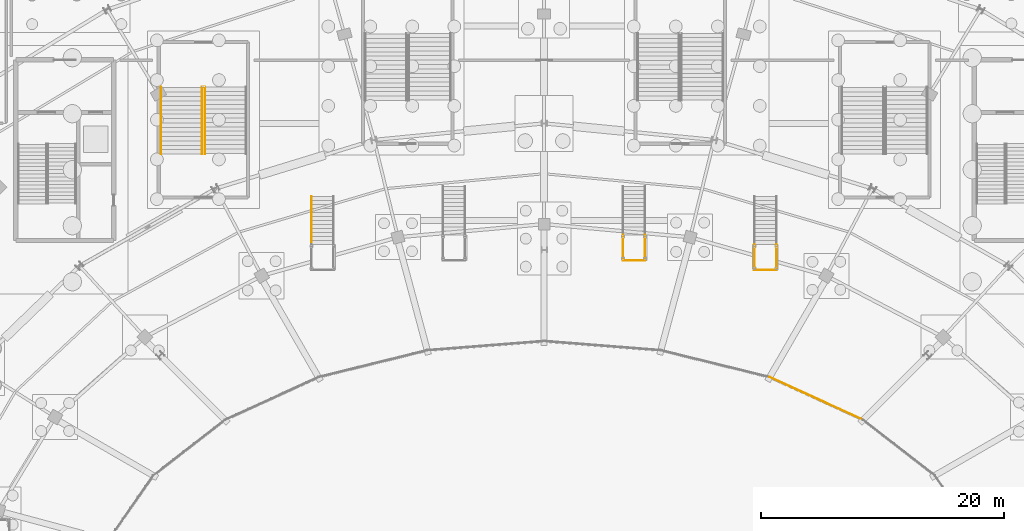
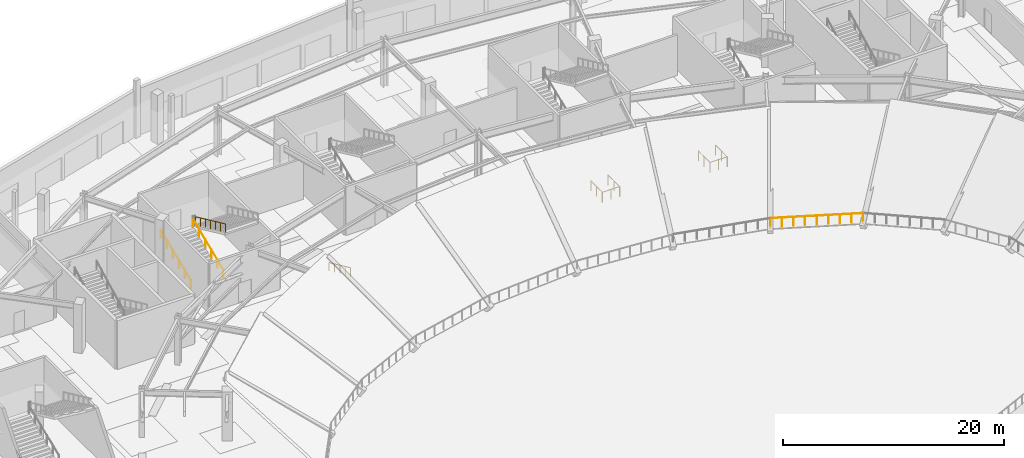
# One storey, part 81 of 93: 11 railings.
"""IFC4 building model written with IfcOpenShell, lengths in metres."""

from ifc_helpers import new_model, si_unit, direction, frame, origin, origin_2d, place, context, subcontext, project, spatial, circle, extrude, material, type_object, element, save


model = new_model("IFC4")

# Units and contexts
model_context = context("Model", 3, precision=1e-05, world=origin(), true_north=direction((0.0, 1.0)))
body_context = subcontext(model_context, "Body", "Model", "MODEL_VIEW")
ifc_project = project(units=[si_unit("LENGTHUNIT", "METRE"), si_unit("AREAUNIT", "SQUARE_METRE"), si_unit("VOLUMEUNIT", "CUBIC_METRE"), si_unit("PLANEANGLEUNIT", "RADIAN"), si_unit("MASSUNIT", "GRAM", prefix="KILO")], contexts=[model_context])

# Site, building, storey
site_placement = place(None, origin())
site = spatial("IfcSite", under=ifc_project, at=site_placement, CompositionType="ELEMENT")
building_placement = place(site_placement, origin())
building = spatial("IfcBuilding", under=site, at=building_placement, Name="Kalgoora Escarpment Arena", CompositionType="ELEMENT")
storey_placement = place(building_placement, origin())
storey = spatial("IfcBuildingStorey", under=building, at=storey_placement, Name="L00", CompositionType="ELEMENT", Elevation=0.0)

# Railings
ifc_material_1 = material(Name="Galvanised & powdercoated tubular steel", Category="steel")
railing_type_1 = type_object("IfcRailingType", Name="RAL-GUARD-1120", PredefinedType="GUARDRAIL", material=ifc_material_1)
for number, where, name in (
    (1, (98.89990234375, 94.840087890625, 1.949951171875), "Vomitory VST03 landing guard L"),
    (2, (100.699951171875, 94.840087890625, 1.949951171875), "Vomitory VST03 landing guard R"),
):
    element("IfcRailing", number, at=place(storey_placement, frame(where)), inside=storey, type_object=railing_type_1, Name=name, PredefinedType="GUARDRAIL", context=body_context, shape_type="SweptSolid", body=[
        extrude(circle(Radius=0.02392578125, at=origin_2d()), frame((0.0, 0.0, 1.09619140625), z_axis=(0.0, -1.0, 0.0), x_axis=(1.0, 0.0, 0.0)), (0.0, 0.0, 1.0), 2.10009765625),
        extrude(circle(Radius=0.02099609375, at=origin_2d()), origin(), (0.0, 0.0, 1.0), 1.072021484375),
        extrude(circle(Radius=0.02099609375, at=origin_2d()), frame((0.0, -1.050048828125, 0.0)), (0.0, 0.0, 1.0), 1.072021484375),
        extrude(circle(Radius=0.02099609375, at=origin_2d()), frame((0.0, -2.10009765625, 0.0)), (0.0, 0.0, 1.0), 1.072021484375),
    ])
railing_1_placement = place(storey_placement, frame((98.8798828125, 92.739990234375, 1.949951171875)))
element("IfcRailing", 3, at=railing_1_placement, inside=storey, type_object=railing_type_1, Name="Vomitory VST03 landing end guard", PredefinedType="GUARDRAIL", context=body_context, shape_type="SweptSolid", body=[
    extrude(circle(Radius=0.02392578125, at=origin_2d()), frame((0.0, 0.0, 1.09619140625), z_axis=(1.0, 0.0, 0.0), x_axis=(0.0, 1.0, 0.0)), (0.0, 0.0, 1.0), 1.840087890625),
    extrude(circle(Radius=0.02099609375, at=origin_2d()), origin(), (0.0, 0.0, 1.0), 1.072021484375),
    extrude(circle(Radius=0.02099609375, at=origin_2d()), frame((0.919921875, 0.0, 0.0)), (0.0, 0.0, 1.0), 1.072021484375),
    extrude(circle(Radius=0.02099609375, at=origin_2d()), frame((1.840087890625, 0.0, 0.0)), (0.0, 0.0, 1.0), 1.072021484375),
])
for number, where, name in (
    (4, (109.699951171875, 94.0400390625, 1.949951171875), "Vomitory VST04 landing guard L"),
    (5, (111.5, 94.0400390625, 1.949951171875), "Vomitory VST04 landing guard R"),
):
    element("IfcRailing", number, at=place(storey_placement, frame(where)), inside=storey, type_object=railing_type_1, Name=name, PredefinedType="GUARDRAIL", context=body_context, shape_type="SweptSolid", body=[
        extrude(circle(Radius=0.02392578125, at=origin_2d()), frame((0.0, 0.0, 1.09619140625), z_axis=(0.0, -1.0, 0.0), x_axis=(1.0, 0.0, 0.0)), (0.0, 0.0, 1.0), 2.10009765625),
        extrude(circle(Radius=0.02099609375, at=origin_2d()), origin(), (0.0, 0.0, 1.0), 1.072021484375),
        extrude(circle(Radius=0.02099609375, at=origin_2d()), frame((0.0, -1.050048828125, 0.0)), (0.0, 0.0, 1.0), 1.072021484375),
        extrude(circle(Radius=0.02099609375, at=origin_2d()), frame((0.0, -2.10009765625, 0.0)), (0.0, 0.0, 1.0), 1.072021484375),
    ])
railing_2_placement = place(storey_placement, frame((109.679931640625, 91.93994140625, 1.949951171875)))
element("IfcRailing", 6, at=railing_2_placement, inside=storey, type_object=railing_type_1, Name="Vomitory VST04 landing end guard", PredefinedType="GUARDRAIL", context=body_context, shape_type="SweptSolid", body=[
    extrude(circle(Radius=0.02392578125, at=origin_2d()), frame((0.0, 0.0, 1.09619140625), z_axis=(1.0, 0.0, 0.0), x_axis=(0.0, 1.0, 0.0)), (0.0, 0.0, 1.0), 1.840087890625),
    extrude(circle(Radius=0.02099609375, at=origin_2d()), origin(), (0.0, 0.0, 1.0), 1.072021484375),
    extrude(circle(Radius=0.02099609375, at=origin_2d()), frame((0.919921875, 0.0, 0.0)), (0.0, 0.0, 1.0), 1.072021484375),
    extrude(circle(Radius=0.02099609375, at=origin_2d()), frame((1.840087890625, 0.0, 0.0)), (0.0, 0.0, 1.0), 1.072021484375),
])
railing_3_placement = place(storey_placement, frame((118.6337890625, 79.627197265625, 0.679931640625)))
element("IfcRailing", 7, at=railing_3_placement, inside=storey, type_object=railing_type_1, Name="Lower tier front sightline guard 04", PredefinedType="GUARDRAIL", context=body_context, shape_type="SweptSolid", body=[
    extrude(circle(Radius=0.02392578125, at=origin_2d()), frame((0.0, 0.0, 1.09619140625), z_axis=(-0.909503507852, 0.415696246321, 0.0), x_axis=(-0.415696246321, -0.909503507852, 0.0)), (0.0, 0.0, 1.0), 8.448486328125),
    extrude(circle(Radius=0.02099609375, at=origin_2d()), origin(), (0.0, 0.0, 1.0), 1.072021484375),
    extrude(circle(Radius=0.02099609375, at=origin_2d()), frame((-0.96044921875, 0.43896484375, 0.0)), (0.0, 0.0, 1.0), 1.072021484375),
    extrude(circle(Radius=0.02099609375, at=origin_2d()), frame((-1.9208984375, 0.8779296875, 0.0)), (0.0, 0.0, 1.0), 1.072021484375),
    extrude(circle(Radius=0.02099609375, at=origin_2d()), frame((-2.88134765625, 1.31689453125, 0.0)), (0.0, 0.0, 1.0), 1.072021484375),
    extrude(circle(Radius=0.02099609375, at=origin_2d()), frame((-3.841796875, 1.755859375, 0.0)), (0.0, 0.0, 1.0), 1.072021484375),
    extrude(circle(Radius=0.02099609375, at=origin_2d()), frame((-4.802490234375, 2.195068359375, 0.0)), (0.0, 0.0, 1.0), 1.072021484375),
    extrude(circle(Radius=0.02099609375, at=origin_2d()), frame((-5.762939453125, 2.634033203125, 0.0)), (0.0, 0.0, 1.0), 1.072021484375),
    extrude(circle(Radius=0.02099609375, at=origin_2d()), frame((-6.723388671875, 3.072998046875, 0.0)), (0.0, 0.0, 1.0), 1.072021484375),
    extrude(circle(Radius=0.02099609375, at=origin_2d()), frame((-7.683837890625, 3.511962890625, 0.0)), (0.0, 0.0, 1.0), 1.072021484375),
])
ifc_material_2 = material(Name="Brushed stainless steel 316 handrail", Category="steel")
railing_type_2 = type_object("IfcRailingType", Name="RAL-HAND-920", PredefinedType="HANDRAIL", material=ifc_material_2)
for number, where, name in (
    (8, (60.89990234375, 101.489990234375, 0.388916015625), "ST09 L00 pitched stair handrail F1L"),
    (9, (64.284912109375, 101.489990234375, 0.388916015625), "ST09 L00 pitched stair handrail F1R"),
):
    element("IfcRailing", number, at=place(storey_placement, frame(where)), inside=storey, type_object=railing_type_2, Name=name, PredefinedType="HANDRAIL", context=body_context, shape_type="SweptSolid", body=[
        extrude(circle(Radius=0.02392578125, at=origin_2d()), frame((0.0, 0.0, 0.89599609375), z_axis=(0.0, 0.924430832969, 0.381349754236), x_axis=(-1.0, 0.0, 0.0)), (0.0, 0.0, 1.0), 5.955078125),
        extrude(circle(Radius=0.02099609375, at=origin_2d()), origin(), (0.0, 0.0, 1.0), 0.871826171875),
        extrude(circle(Radius=0.02099609375, at=origin_2d()), frame((0.0, 1.10107421875, 0.4541015625)), (0.0, 0.0, 1.0), 0.871826171875),
        extrude(circle(Radius=0.02099609375, at=origin_2d()), frame((0.0, 2.2021484375, 0.908447265625)), (0.0, 0.0, 1.0), 0.871826171875),
        extrude(circle(Radius=0.02099609375, at=origin_2d()), frame((0.0, 3.302978515625, 1.362548828125)), (0.0, 0.0, 1.0), 0.871826171875),
        extrude(circle(Radius=0.02099609375, at=origin_2d()), frame((0.0, 4.404052734375, 1.81689453125)), (0.0, 0.0, 1.0), 0.871826171875),
        extrude(circle(Radius=0.02099609375, at=origin_2d()), frame((0.0, 5.505126953125, 2.27099609375)), (0.0, 0.0, 1.0), 0.871826171875),
    ])
railing_4_placement = place(storey_placement, frame((64.514892578125, 106.9951171875, 2.828857421875)))
element("IfcRailing", 10, at=railing_4_placement, inside=storey, type_object=railing_type_2, Name="ST09 L00 pitched stair handrail F2L", PredefinedType="HANDRAIL", context=body_context, shape_type="SweptSolid", body=[
    extrude(circle(Radius=0.02392578125, at=origin_2d()), frame((0.0, 0.0, 0.89599609375), z_axis=(0.0, -0.908559891483, 0.417754621265), x_axis=(1.0, 0.0, 0.0)), (0.0, 0.0, 1.0), 6.05908203125),
    extrude(circle(Radius=0.02099609375, at=origin_2d()), origin(), (0.0, 0.0, 1.0), 0.871826171875),
    extrude(circle(Radius=0.02099609375, at=origin_2d()), frame((0.0, -0.91748046875, 0.421875)), (0.0, 0.0, 1.0), 0.871826171875),
    extrude(circle(Radius=0.02099609375, at=origin_2d()), frame((0.0, -1.8349609375, 0.84375)), (0.0, 0.0, 1.0), 0.871826171875),
    extrude(circle(Radius=0.02099609375, at=origin_2d()), frame((0.0, -2.75244140625, 1.265625)), (0.0, 0.0, 1.0), 0.871826171875),
    extrude(circle(Radius=0.02099609375, at=origin_2d()), frame((0.0, -3.670166015625, 1.6875)), (0.0, 0.0, 1.0), 0.871826171875),
    extrude(circle(Radius=0.02099609375, at=origin_2d()), frame((0.0, -4.587646484375, 2.109375)), (0.0, 0.0, 1.0), 0.871826171875),
    extrude(circle(Radius=0.02099609375, at=origin_2d()), frame((0.0, -5.505126953125, 2.53125)), (0.0, 0.0, 1.0), 0.871826171875),
])
railing_5_placement = place(storey_placement, frame((73.300048828125, 98.0, 0.14990234375)))
element("IfcRailing", 11, at=railing_5_placement, inside=storey, type_object=railing_type_2, Name="Vomitory VST01 handrail L", PredefinedType="HANDRAIL", context=body_context, shape_type="SweptSolid", body=[
    extrude(circle(Radius=0.02392578125, at=origin_2d()), frame((0.0, 0.0, 0.89599609375), z_axis=(0.0, -0.910360711023, 0.413815630233), x_axis=(1.0, 0.0, 0.0)), (0.0, 0.0, 1.0), 4.349853515625),
    extrude(circle(Radius=0.02099609375, at=origin_2d()), origin(), (0.0, 0.0, 1.0), 0.871826171875),
    extrude(circle(Radius=0.02099609375, at=origin_2d()), frame((0.0, -0.989990234375, 0.449951171875)), (0.0, 0.0, 1.0), 0.871826171875),
    extrude(circle(Radius=0.02099609375, at=origin_2d()), frame((0.0, -1.97998046875, 0.89990234375)), (0.0, 0.0, 1.0), 0.871826171875),
    extrude(circle(Radius=0.02099609375, at=origin_2d()), frame((0.0, -2.969970703125, 1.35009765625)), (0.0, 0.0, 1.0), 0.871826171875),
    extrude(circle(Radius=0.02099609375, at=origin_2d()), frame((0.0, -3.9599609375, 1.800048828125)), (0.0, 0.0, 1.0), 0.871826171875),
])

save(model, "model.ifc")
